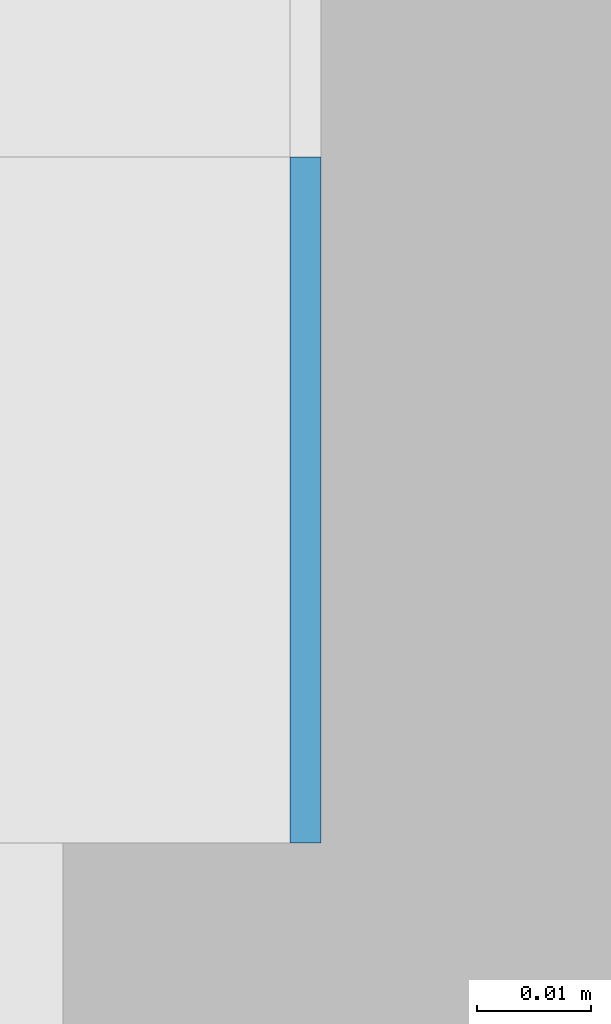
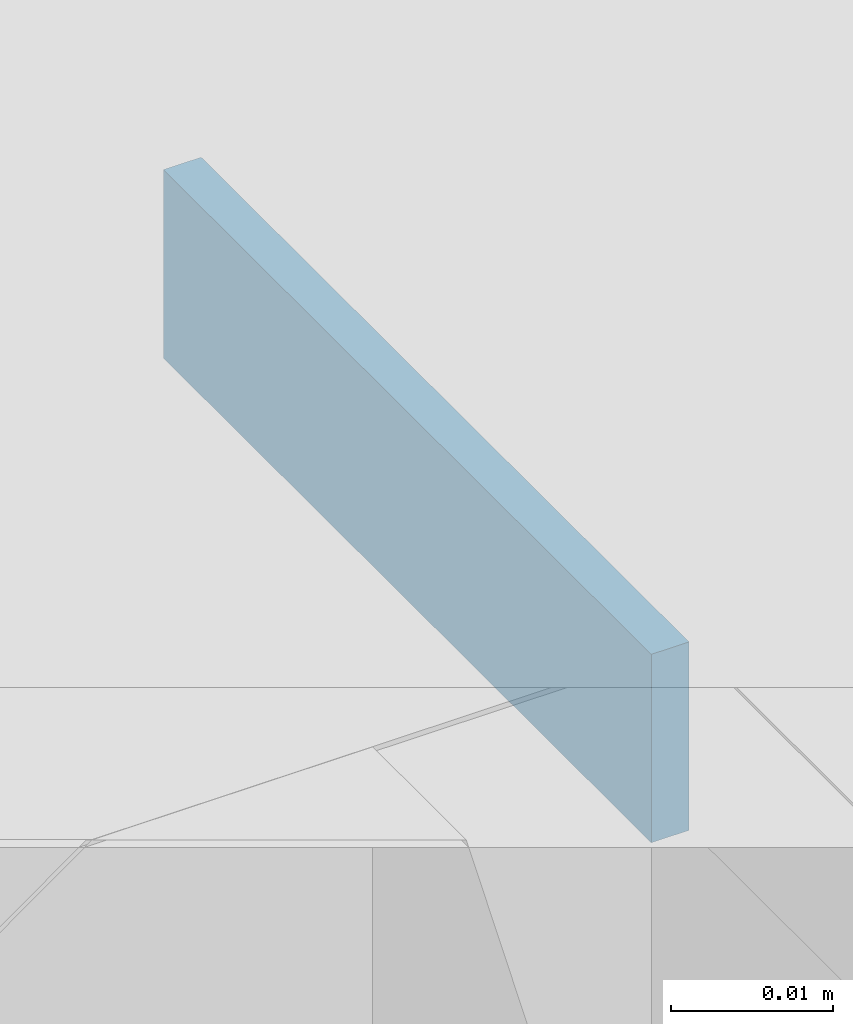
# One storey, part 411 of 646: 1 discrete accessory.
"""IFC4 building model written with IfcOpenShell, lengths in metres."""

from ifc_helpers import new_model, si_unit, direction, frame, origin, origin_2d, place, context, subcontext, project, spatial, rectangle, extrude, material, type_object, element, save


model = new_model("IFC4")

# Units and contexts
model_context = context("Model", 3, precision=1e-05, world=origin(), true_north=direction((0.0, 1.0)))
body_context = subcontext(model_context, "Body", "Model", "MODEL_VIEW")
ifc_project = project(units=[si_unit("LENGTHUNIT", "METRE"), si_unit("AREAUNIT", "SQUARE_METRE"), si_unit("VOLUMEUNIT", "CUBIC_METRE"), si_unit("PLANEANGLEUNIT", "RADIAN"), si_unit("MASSUNIT", "GRAM", prefix="KILO")], contexts=[model_context])

# Site, building, storey
site_placement = place(None, origin())
site = spatial("IfcSite", under=ifc_project, at=site_placement, CompositionType="ELEMENT")
building_placement = place(site_placement, origin())
building = spatial("IfcBuilding", under=site, at=building_placement, Name="Silverbay Arena", CompositionType="ELEMENT")
storey_placement = place(building_placement, frame((0.0, 0.0, 33.5)))
storey = spatial("IfcBuildingStorey", under=building, at=storey_placement, Name="L05", CompositionType="ELEMENT", Elevation=33.5)

# Discrete accessory
ifc_material = material(Name="Steel S355", Category="steel")
discrete_accessory_type = type_object("IfcDiscreteAccessoryType", Name="Steel bracket plate", PredefinedType="BRACKET", material=ifc_material)
discrete_accessory_placement = place(storey_placement, frame((53.871337890625, 125.969970703125, 12.98583984375), z_axis=(0.0, 0.0, 1.0), x_axis=(1.0, 0.0, 0.0)))
element("IfcDiscreteAccessory", 1, at=discrete_accessory_placement, inside=storey, type_object=discrete_accessory_type, Name="Curtain wall packing plate", PredefinedType="BRACKET", context=body_context, shape_type="SweptSolid", body=[
    extrude(rectangle(XDim=0.002685546875, YDim=0.06005859375, at=origin_2d()), origin(), (0.0, 0.0, 1.0), 0.01416015625),
])

save(model, "model.ifc")
